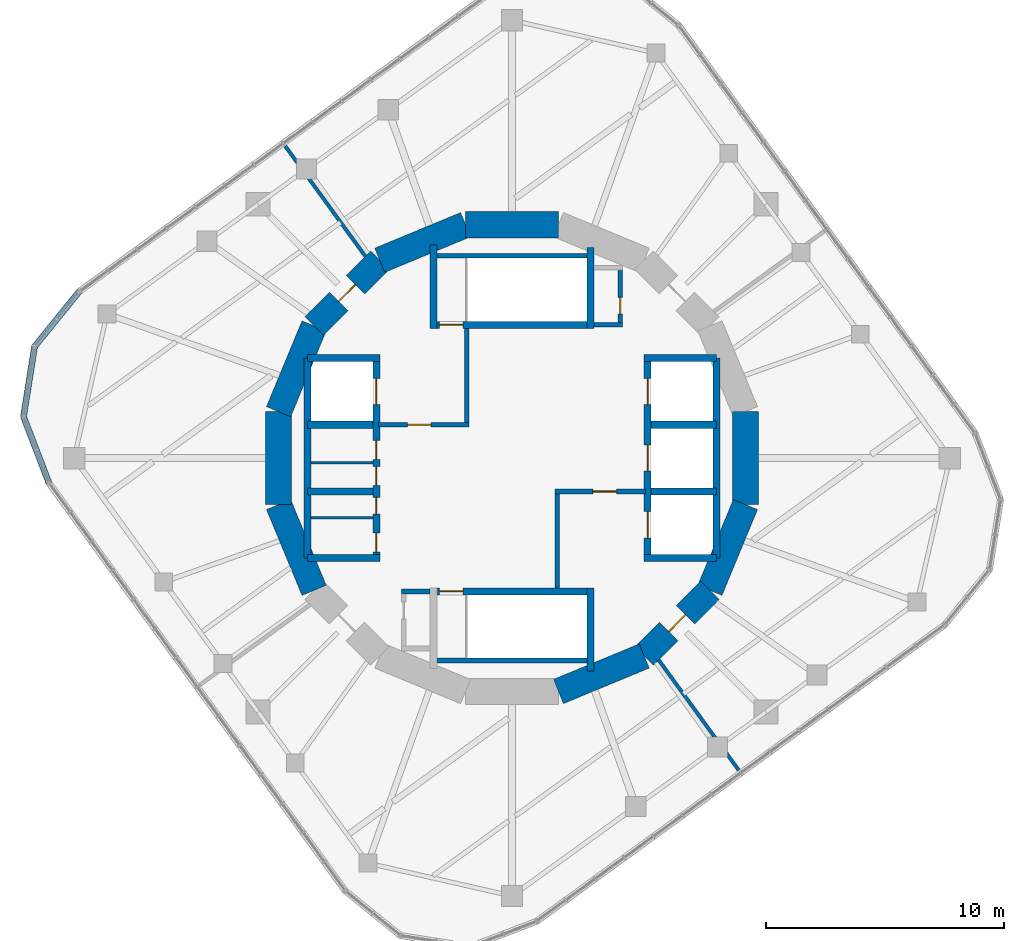
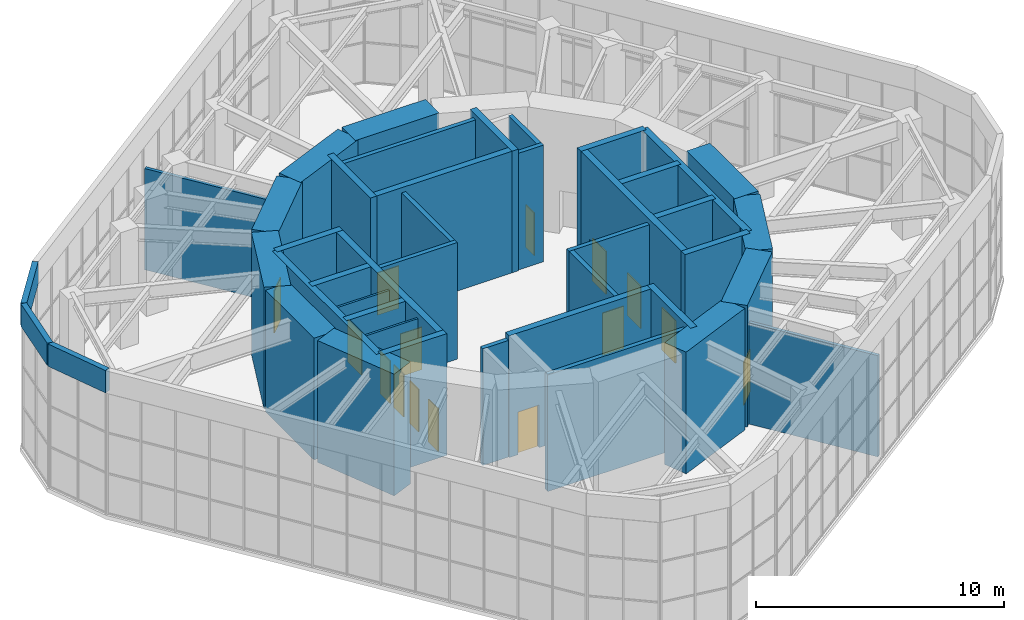
# One storey, part 15 of 17: 43 walls, 15 doors, 15 openings.
"""IFC4 building model written with IfcOpenShell, lengths in metres."""

from ifc_helpers import new_model, si_unit, direction, frame, frame_2d, origin, place, context, subcontext, project, spatial, rectangle, extrude, material, layer, layer_set, type_object, element, fill, save


model = new_model("IFC4")

# Units and contexts
model_context = context("Model", 3, precision=1e-05, world=origin(), true_north=direction((0.0, 1.0)))
body_context = subcontext(model_context, "Body", "Model", "MODEL_VIEW")
ifc_project = project(units=[si_unit("LENGTHUNIT", "METRE"), si_unit("AREAUNIT", "SQUARE_METRE"), si_unit("VOLUMEUNIT", "CUBIC_METRE"), si_unit("PLANEANGLEUNIT", "RADIAN"), si_unit("MASSUNIT", "GRAM", prefix="KILO")], contexts=[model_context])

# Site, building, storey
site_placement = place(None, origin())
site = spatial("IfcSite", under=ifc_project, at=site_placement, CompositionType="ELEMENT")
building_placement = place(site_placement, origin())
building = spatial("IfcBuilding", under=site, at=building_placement, Name="Nakasero Lantern House", CompositionType="ELEMENT")
storey_placement = place(building_placement, frame((0.0, 0.0, 304.39990234375)))
storey = spatial("IfcBuildingStorey", under=building, at=storey_placement, Name="L74", CompositionType="ELEMENT", Elevation=304.39990234375)

# Wall, openings, doors
ifc_material_1 = material(Name="Concrete C50/60", Category="concrete")
ifc_layer_1 = layer(ifc_material_1, 0.300048828125)
ifc_layer_set_1 = layer_set([ifc_layer_1], Name="Core inner wall 300")
wall_type_1 = type_object("IfcWallType", Name="Core inner wall 300", PredefinedType="SHEAR", material=ifc_layer_set_1)
wall_1_placement = place(storey_placement, frame((-5.699951171875, -4.199951171875, 0.0), z_axis=(0.0, 0.0, 1.0), x_axis=(0.0, 1.0, 0.0)))
wall_1 = element("IfcWall", 1, at=wall_1_placement, inside=storey, type_object=wall_type_1, Name="Core inner wall L74 LW", PredefinedType="SHEAR", context=body_context, shape_type="SweptSolid", body=[
    extrude(rectangle(XDim=8.39990234375, YDim=0.300048828125, at=frame_2d((4.199951171875, 0.0))), origin(), (0.0, 0.0, 1.0), 6.0),
])
opening_1_placement = place(wall_1_placement, frame((0.25, 0.0, 0.0)))
opening_1 = element("IfcOpeningElement", 2, at=opening_1_placement, cuts=wall_1, Name="Opening D19", PredefinedType="OPENING", context=body_context, shape_type="SweptSolid", body=[
    extrude(rectangle(XDim=0.800048828125, YDim=2.10009765625, at=frame_2d((0.39990234375, 1.050048828125))), frame((0.0, 0.169921875, 0.0), z_axis=(0.0, -1.0, 0.0), x_axis=(1.0, 0.0, 0.0)), (0.0, 0.0, 1.0), 0.340087890625),
])
opening_2_placement = place(wall_1_placement, frame((1.85009765625, 0.0, 0.0)))
opening_2 = element("IfcOpeningElement", 3, at=opening_2_placement, cuts=wall_1, Name="Opening D20", PredefinedType="OPENING", context=body_context, shape_type="SweptSolid", body=[
    extrude(rectangle(XDim=0.699951171875, YDim=2.10009765625, at=frame_2d((0.35009765625, 1.050048828125))), frame((0.0, 0.169921875, 0.0), z_axis=(0.0, -1.0, 0.0), x_axis=(1.0, 0.0, 0.0)), (0.0, 0.0, 1.0), 0.340087890625),
])
opening_3_placement = place(wall_1_placement, frame((3.050048828125, 0.0, 0.0)))
opening_3 = element("IfcOpeningElement", 4, at=opening_3_placement, cuts=wall_1, Name="Opening D19", PredefinedType="OPENING", context=body_context, shape_type="SweptSolid", body=[
    extrude(rectangle(XDim=0.800048828125, YDim=2.10009765625, at=frame_2d((0.39990234375, 1.050048828125))), frame((0.0, 0.169921875, 0.0), z_axis=(0.0, -1.0, 0.0), x_axis=(1.0, 0.0, 0.0)), (0.0, 0.0, 1.0), 0.340087890625),
])
opening_4_placement = place(wall_1_placement, frame((4.14990234375, 0.0, 0.0)))
opening_4 = element("IfcOpeningElement", 5, at=opening_4_placement, cuts=wall_1, Name="Opening D15", PredefinedType="OPENING", context=body_context, shape_type="SweptSolid", body=[
    extrude(rectangle(XDim=0.800048828125, YDim=2.10009765625, at=frame_2d((0.39990234375, 1.050048828125))), frame((0.0, 0.169921875, 0.0), z_axis=(0.0, -1.0, 0.0), x_axis=(1.0, 0.0, 0.0)), (0.0, 0.0, 1.0), 0.340087890625),
])
opening_5_placement = place(wall_1_placement, frame((6.449951171875, 0.0, 0.0)))
opening_5 = element("IfcOpeningElement", 6, at=opening_5_placement, cuts=wall_1, Name="Opening LD", PredefinedType="OPENING", context=body_context, shape_type="SweptSolid", body=[
    extrude(rectangle(XDim=1.10009765625, YDim=2.10009765625, at=frame_2d((0.550048828125, 1.050048828125))), frame((0.0, 0.169921875, 0.0), z_axis=(0.0, -1.0, 0.0), x_axis=(1.0, 0.0, 0.0)), (0.0, 0.0, 1.0), 0.340087890625),
])
ifc_material_2 = material(Name="Timber C24", Category="wood")
door_type_1 = type_object("IfcDoorType", Name="Cleaner's store door FD30S 700", OperationType="SINGLE_SWING_LEFT", PredefinedType="DOOR", material=ifc_material_2)
door_1_placement = place(opening_2_placement, origin())
door_1 = element("IfcDoor", 7, at=door_1_placement, inside=storey, type_object=door_type_1, Name="Door L74 D-SH-LW1b", OperationType="SINGLE_SWING_LEFT", OverallHeight=2.10009765625, OverallWidth=0.699951171875, PredefinedType="DOOR", context=body_context, shape_type="SweptSolid", body=[
    extrude(rectangle(XDim=0.699951171875, YDim=2.10009765625, at=frame_2d((0.35009765625, 1.050048828125))), frame((0.0, 0.02490234375, 0.0), z_axis=(0.0, -1.0, 0.0), x_axis=(1.0, 0.0, 0.0)), (0.0, 0.0, 1.0), 0.050048828125),
])
fill(opening_2, door_1)
ifc_material_3 = material(Name="Timber C24", Category="wood")
door_type_2 = type_object("IfcDoorType", Name="Cleaner's store door FD30S 800", OperationType="SINGLE_SWING_LEFT", PredefinedType="DOOR", material=ifc_material_3)
door_2_placement = place(opening_4_placement, origin())
door_2 = element("IfcDoor", 8, at=door_2_placement, inside=storey, type_object=door_type_2, Name="Door L74 D-SH-LW2b", OperationType="SINGLE_SWING_RIGHT", OverallHeight=2.10009765625, OverallWidth=0.800048828125, PredefinedType="DOOR", context=body_context, shape_type="SweptSolid", body=[
    extrude(rectangle(XDim=0.800048828125, YDim=2.10009765625, at=frame_2d((0.39990234375, 1.050048828125))), frame((0.0, 0.02490234375, 0.0), z_axis=(0.0, -1.0, 0.0), x_axis=(1.0, 0.0, 0.0)), (0.0, 0.0, 1.0), 0.050048828125),
])
fill(opening_4, door_2)
ifc_material_4 = material(Name="Steel S355", Category="steel")
door_type_3 = type_object("IfcDoorType", Name="Lift landing door E120 1100", OperationType="SLIDING_TO_LEFT", PredefinedType="DOOR", material=ifc_material_4)
door_3_placement = place(opening_5_placement, origin())
door_3 = element("IfcDoor", 9, at=door_3_placement, inside=storey, type_object=door_type_3, Name="Lift landing door LW3", OperationType="SLIDING_TO_LEFT", OverallHeight=2.10009765625, OverallWidth=1.10009765625, PredefinedType="DOOR", context=body_context, shape_type="SweptSolid", body=[
    extrude(rectangle(XDim=1.10009765625, YDim=2.10009765625, at=frame_2d((0.550048828125, 1.050048828125))), frame((0.0, 0.02490234375, 0.0), z_axis=(0.0, -1.0, 0.0), x_axis=(1.0, 0.0, 0.0)), (0.0, 0.0, 1.0), 0.050048828125),
])
fill(opening_5, door_3)
ifc_material_5 = material(Name="Steel S355", Category="steel")
door_type_4 = type_object("IfcDoorType", Name="Plant room door FD60 800", OperationType="SINGLE_SWING_LEFT", PredefinedType="DOOR", material=ifc_material_5)
door_4_placement = place(opening_1_placement, origin())
door_4 = element("IfcDoor", 10, at=door_4_placement, inside=storey, type_object=door_type_4, Name="Door L74 D-SH-LW1a", OperationType="SINGLE_SWING_LEFT", OverallHeight=2.10009765625, OverallWidth=0.800048828125, PredefinedType="DOOR", context=body_context, shape_type="SweptSolid", body=[
    extrude(rectangle(XDim=0.800048828125, YDim=2.10009765625, at=frame_2d((0.39990234375, 1.050048828125))), frame((0.0, 0.02490234375, 0.0), z_axis=(0.0, -1.0, 0.0), x_axis=(1.0, 0.0, 0.0)), (0.0, 0.0, 1.0), 0.050048828125),
])
fill(opening_1, door_4)
door_5_placement = place(opening_3_placement, origin())
door_5 = element("IfcDoor", 11, at=door_5_placement, inside=storey, type_object=door_type_4, Name="Door L74 D-SH-LW2a", OperationType="SINGLE_SWING_LEFT", OverallHeight=2.10009765625, OverallWidth=0.800048828125, PredefinedType="DOOR", context=body_context, shape_type="SweptSolid", body=[
    extrude(rectangle(XDim=0.800048828125, YDim=2.10009765625, at=frame_2d((0.39990234375, 1.050048828125))), frame((0.0, 0.02490234375, 0.0), z_axis=(0.0, -1.0, 0.0), x_axis=(1.0, 0.0, 0.0)), (0.0, 0.0, 1.0), 0.050048828125),
])
fill(opening_3, door_5)

wall_2_placement = place(storey_placement, frame((5.699951171875, -4.199951171875, 0.0), z_axis=(0.0, 0.0, 1.0), x_axis=(0.0, 1.0, 0.0)))
wall_2 = element("IfcWall", 12, at=wall_2_placement, inside=storey, type_object=wall_type_1, Name="Core inner wall L74 LE", PredefinedType="SHEAR", context=body_context, shape_type="SweptSolid", body=[
    extrude(rectangle(XDim=8.39990234375, YDim=0.300048828125, at=frame_2d((4.199951171875, 0.0))), origin(), (0.0, 0.0, 1.0), 6.0),
])
opening_6_placement = place(wall_2_placement, frame((0.85009765625, 0.0, 0.0)))
opening_6 = element("IfcOpeningElement", 13, at=opening_6_placement, cuts=wall_2, Name="Opening LD", PredefinedType="OPENING", context=body_context, shape_type="SweptSolid", body=[
    extrude(rectangle(XDim=1.10009765625, YDim=2.10009765625, at=frame_2d((0.550048828125, 1.050048828125))), frame((0.0, 0.169921875, 0.0), z_axis=(0.0, -1.0, 0.0), x_axis=(1.0, 0.0, 0.0)), (0.0, 0.0, 1.0), 0.340087890625),
])
opening_7_placement = place(wall_2_placement, frame((3.64990234375, 0.0, 0.0)))
opening_7 = element("IfcOpeningElement", 14, at=opening_7_placement, cuts=wall_2, Name="Opening LD", PredefinedType="OPENING", context=body_context, shape_type="SweptSolid", body=[
    extrude(rectangle(XDim=1.10009765625, YDim=2.10009765625, at=frame_2d((0.550048828125, 1.050048828125))), frame((0.0, 0.169921875, 0.0), z_axis=(0.0, -1.0, 0.0), x_axis=(1.0, 0.0, 0.0)), (0.0, 0.0, 1.0), 0.340087890625),
])
opening_8_placement = place(wall_2_placement, frame((6.449951171875, 0.0, 0.0)))
opening_8 = element("IfcOpeningElement", 15, at=opening_8_placement, cuts=wall_2, Name="Opening LD", PredefinedType="OPENING", context=body_context, shape_type="SweptSolid", body=[
    extrude(rectangle(XDim=1.10009765625, YDim=2.10009765625, at=frame_2d((0.550048828125, 1.050048828125))), frame((0.0, 0.169921875, 0.0), z_axis=(0.0, -1.0, 0.0), x_axis=(1.0, 0.0, 0.0)), (0.0, 0.0, 1.0), 0.340087890625),
])
door_6_placement = place(opening_6_placement, origin())
door_6 = element("IfcDoor", 16, at=door_6_placement, inside=storey, type_object=door_type_3, Name="Lift landing door LE1", OperationType="SLIDING_TO_LEFT", OverallHeight=2.10009765625, OverallWidth=1.10009765625, PredefinedType="DOOR", context=body_context, shape_type="SweptSolid", body=[
    extrude(rectangle(XDim=1.10009765625, YDim=2.10009765625, at=frame_2d((0.550048828125, 1.050048828125))), frame((0.0, 0.02490234375, 0.0), z_axis=(0.0, -1.0, 0.0), x_axis=(1.0, 0.0, 0.0)), (0.0, 0.0, 1.0), 0.050048828125),
])
fill(opening_6, door_6)
door_7_placement = place(opening_7_placement, origin())
door_7 = element("IfcDoor", 17, at=door_7_placement, inside=storey, type_object=door_type_3, Name="Lift landing door LE2", OperationType="SLIDING_TO_LEFT", OverallHeight=2.10009765625, OverallWidth=1.10009765625, PredefinedType="DOOR", context=body_context, shape_type="SweptSolid", body=[
    extrude(rectangle(XDim=1.10009765625, YDim=2.10009765625, at=frame_2d((0.550048828125, 1.050048828125))), frame((0.0, 0.02490234375, 0.0), z_axis=(0.0, -1.0, 0.0), x_axis=(1.0, 0.0, 0.0)), (0.0, 0.0, 1.0), 0.050048828125),
])
fill(opening_7, door_7)
door_8_placement = place(opening_8_placement, origin())
door_8 = element("IfcDoor", 18, at=door_8_placement, inside=storey, type_object=door_type_3, Name="Lift landing door LE3", OperationType="SLIDING_TO_LEFT", OverallHeight=2.10009765625, OverallWidth=1.10009765625, PredefinedType="DOOR", context=body_context, shape_type="SweptSolid", body=[
    extrude(rectangle(XDim=1.10009765625, YDim=2.10009765625, at=frame_2d((0.550048828125, 1.050048828125))), frame((0.0, 0.02490234375, 0.0), z_axis=(0.0, -1.0, 0.0), x_axis=(1.0, 0.0, 0.0)), (0.0, 0.0, 1.0), 0.050048828125),
])
fill(opening_8, door_8)

# Walls
for number, where, z_axis, x_axis, name in (
    (19, (-8.60009765625, 4.199951171875, 0.0), (0.0, 0.0, 1.0), (1.0, 0.0, 0.0), "Core inner wall L74 LWN"),
    (20, (-8.60009765625, -4.199951171875, 0.0), (0.0, 0.0, 1.0), (1.0, 0.0, 0.0), "Core inner wall L74 LWS"),
    (21, (5.550048828125, 4.199951171875, 0.0), (0.0, 0.0, 1.0), (1.0, 0.0, 0.0), "Core inner wall L74 LEN"),
    (22, (5.550048828125, -4.199951171875, 0.0), (0.0, 0.0, 1.0), (1.0, 0.0, 0.0), "Core inner wall L74 LES"),
):
    element("IfcWall", number, at=place(storey_placement, frame(where, z_axis=z_axis, x_axis=x_axis)), inside=storey, type_object=wall_type_1, Name=name, PredefinedType="SHEAR", context=body_context, shape_type="SweptSolid", body=[
        extrude(rectangle(XDim=3.050048828125, YDim=0.300048828125, at=frame_2d((1.52490234375, 0.0))), origin(), (0.0, 0.0, 1.0), 6.0),
    ])
for number, where, z_axis, x_axis, name in (
    (23, (-8.60009765625, -4.199951171875, 0.0), (0.0, 0.0, 1.0), (0.0, 1.0, 0.0), "Core inner wall L74 LWB"),
    (24, (8.60009765625, -4.199951171875, 0.0), (0.0, 0.0, 1.0), (0.0, 1.0, 0.0), "Core inner wall L74 LEB"),
):
    element("IfcWall", number, at=place(storey_placement, frame(where, z_axis=z_axis, x_axis=x_axis)), inside=storey, type_object=wall_type_1, Name=name, PredefinedType="SHEAR", context=body_context, shape_type="SweptSolid", body=[
        extrude(rectangle(XDim=8.39990234375, YDim=0.300048828125, at=frame_2d((4.199951171875, 0.0))), origin(), (0.0, 0.0, 1.0), 6.0),
    ])
for number, where, z_axis, x_axis, name in (
    (25, (-8.60009765625, -1.39990234375, 0.0), (0.0, 0.0, 1.0), (1.0, 0.0, 0.0), "Core inner wall L74 LW1"),
    (26, (-8.60009765625, 1.39990234375, 0.0), (0.0, 0.0, 1.0), (1.0, 0.0, 0.0), "Core inner wall L74 LW2"),
    (27, (5.85009765625, -1.39990234375, 0.0), (0.0, 0.0, 1.0), (1.0, 0.0, 0.0), "Core inner wall L74 LE1"),
    (28, (5.85009765625, 1.39990234375, 0.0), (0.0, 0.0, 1.0), (1.0, 0.0, 0.0), "Core inner wall L74 LE2"),
):
    element("IfcWall", number, at=place(storey_placement, frame(where, z_axis=z_axis, x_axis=x_axis)), inside=storey, type_object=wall_type_1, Name=name, PredefinedType="SHEAR", context=body_context, shape_type="SweptSolid", body=[
        extrude(rectangle(XDim=2.75, YDim=0.300048828125, at=frame_2d((1.375, 0.0))), origin(), (0.0, 0.0, 1.0), 6.0),
    ])

# Wall, opening, door
wall_3_placement = place(storey_placement, frame((-3.449951171875, 5.60009765625, 0.0), z_axis=(0.0, 0.0, 1.0), x_axis=(1.0, 0.0, 0.0)))
wall_3 = element("IfcWall", 29, at=wall_3_placement, inside=storey, type_object=wall_type_1, Name="Core inner wall L74 SN", PredefinedType="SHEAR", context=body_context, shape_type="SweptSolid", body=[
    extrude(rectangle(XDim=6.89990234375, YDim=0.300048828125, at=frame_2d((3.449951171875, 0.0))), origin(), (0.0, 0.0, 1.0), 6.0),
])
opening_9_placement = place(wall_3_placement, frame((0.39990234375, 0.0, 0.0)))
opening_9 = element("IfcOpeningElement", 30, at=opening_9_placement, cuts=wall_3, Name="Opening D05", PredefinedType="OPENING", context=body_context, shape_type="SweptSolid", body=[
    extrude(rectangle(XDim=1.0, YDim=2.10009765625, at=frame_2d((0.5, 1.050048828125))), frame((0.0, 0.169921875, 0.0), z_axis=(0.0, -1.0, 0.0), x_axis=(1.0, 0.0, 0.0)), (0.0, 0.0, 1.0), 0.340087890625),
])
ifc_material_6 = material(Name="Timber C24", Category="wood")
door_type_5 = type_object("IfcDoorType", Name="Core door FD60S 1000", OperationType="SINGLE_SWING_LEFT", PredefinedType="DOOR", material=ifc_material_6)
door_9_placement = place(opening_9_placement, origin())
door_9 = element("IfcDoor", 31, at=door_9_placement, inside=storey, type_object=door_type_5, Name="Door L74 D-ST1", OperationType="SINGLE_SWING_LEFT", OverallHeight=2.10009765625, OverallWidth=1.0, PredefinedType="DOOR", context=body_context, shape_type="SweptSolid", body=[
    extrude(rectangle(XDim=1.0, YDim=2.10009765625, at=frame_2d((0.5, 1.050048828125))), frame((0.0, 0.02490234375, 0.0), z_axis=(0.0, -1.0, 0.0), x_axis=(1.0, 0.0, 0.0)), (0.0, 0.0, 1.0), 0.050048828125),
])
fill(opening_9, door_9)

# Walls
wall_4_placement = place(storey_placement, frame((-3.300048828125, 5.449951171875, 0.0), z_axis=(0.0, 0.0, 1.0), x_axis=(0.0, 1.0, 0.0)))
element("IfcWall", 32, at=wall_4_placement, inside=storey, type_object=wall_type_1, Name="Core inner wall L74 SNW", PredefinedType="SHEAR", context=body_context, shape_type="SweptSolid", body=[
    extrude(rectangle(XDim=3.5, YDim=0.300048828125, at=frame_2d((1.75, 0.0))), origin(), (0.0, 0.0, 1.0), 6.0),
])
wall_5_placement = place(storey_placement, frame((3.300048828125, 5.449951171875, 0.0), z_axis=(0.0, 0.0, 1.0), x_axis=(0.0, 1.0, 0.0)))
element("IfcWall", 33, at=wall_5_placement, inside=storey, type_object=wall_type_1, Name="Core inner wall L74 SNE", PredefinedType="SHEAR", context=body_context, shape_type="SweptSolid", body=[
    extrude(rectangle(XDim=3.400146484375, YDim=0.300048828125, at=frame_2d((1.7001953125, 0.0))), origin(), (0.0, 0.0, 1.0), 6.0),
])

# Wall, opening, door
wall_6_placement = place(storey_placement, frame((-3.449951171875, -5.60009765625, 0.0), z_axis=(0.0, 0.0, 1.0), x_axis=(1.0, 0.0, 0.0)))
wall_6 = element("IfcWall", 34, at=wall_6_placement, inside=storey, type_object=wall_type_1, Name="Core inner wall L74 SS", PredefinedType="SHEAR", context=body_context, shape_type="SweptSolid", body=[
    extrude(rectangle(XDim=6.89990234375, YDim=0.300048828125, at=frame_2d((3.449951171875, 0.0))), origin(), (0.0, 0.0, 1.0), 6.0),
])
opening_10_placement = place(wall_6_placement, frame((0.39990234375, 0.0, 0.0)))
opening_10 = element("IfcOpeningElement", 35, at=opening_10_placement, cuts=wall_6, Name="Opening D05", PredefinedType="OPENING", context=body_context, shape_type="SweptSolid", body=[
    extrude(rectangle(XDim=1.0, YDim=2.10009765625, at=frame_2d((0.5, 1.050048828125))), frame((0.0, 0.169921875, 0.0), z_axis=(0.0, -1.0, 0.0), x_axis=(1.0, 0.0, 0.0)), (0.0, 0.0, 1.0), 0.340087890625),
])
door_10_placement = place(opening_10_placement, origin())
door_10 = element("IfcDoor", 36, at=door_10_placement, inside=storey, type_object=door_type_5, Name="Door L74 D-ST2", OperationType="SINGLE_SWING_LEFT", OverallHeight=2.10009765625, OverallWidth=1.0, PredefinedType="DOOR", context=body_context, shape_type="SweptSolid", body=[
    extrude(rectangle(XDim=1.0, YDim=2.10009765625, at=frame_2d((0.5, 1.050048828125))), frame((0.0, 0.02490234375, 0.0), z_axis=(0.0, -1.0, 0.0), x_axis=(1.0, 0.0, 0.0)), (0.0, 0.0, 1.0), 0.050048828125),
])
fill(opening_10, door_10)

# Walls
wall_7_placement = place(storey_placement, frame((3.300048828125, -5.449951171875, 0.0), z_axis=(0.0, 0.0, 1.0), x_axis=(0.0, -1.0, 0.0)))
element("IfcWall", 37, at=wall_7_placement, inside=storey, type_object=wall_type_1, Name="Core inner wall L74 SSE", PredefinedType="SHEAR", context=body_context, shape_type="SweptSolid", body=[
    extrude(rectangle(XDim=3.5, YDim=0.300048828125, at=frame_2d((1.75, 0.0))), origin(), (0.0, 0.0, 1.0), 6.0),
])
ifc_material_7 = material(Name="Blockwork", Category="masonry")
ifc_layer_2 = layer(ifc_material_7, 0.10009765625)
ifc_layer_set_2 = layer_set([ifc_layer_2], Name="Core room wall 100")
wall_type_2 = type_object("IfcWallType", Name="Core room wall 100", PredefinedType="PARTITIONING", material=ifc_layer_set_2)
for number, where, z_axis, x_axis, name in (
    (38, (-8.449951171875, -2.5, 0.0), (0.0, 0.0, 1.0), (1.0, 0.0, 0.0), "Core room wall L74 CR-SH-LW1b"),
    (39, (-8.449951171875, -0.199951171875, 0.0), (0.0, 0.0, 1.0), (1.0, 0.0, 0.0), "Core room wall L74 CR-SH-LW2b"),
):
    element("IfcWall", number, at=place(storey_placement, frame(where, z_axis=z_axis, x_axis=x_axis)), inside=storey, type_object=wall_type_2, Name=name, PredefinedType="PARTITIONING", context=body_context, shape_type="SweptSolid", body=[
        extrude(rectangle(XDim=2.599853515625, YDim=0.10009765625, at=frame_2d((1.2998046875, 0.0))), origin(), (0.0, 0.0, 1.0), 5.75),
    ])
ifc_material_8 = material(Name="Concrete C50/60", Category="concrete")
ifc_layer_3 = layer(ifc_material_8, 1.10009765625)
ifc_layer_set_3 = layer_set([ifc_layer_3], Name="Core wall 1100")
wall_type_3 = type_object("IfcWallType", Name="Core wall 1100", PredefinedType="SHEAR", material=ifc_layer_set_3)
for number, where, z_axis, x_axis, name in (
    (40, (1.950927734375, 9.807861328125, 0.0), (0.0, 0.0, 1.0), (-1.0, 0.0, 0.0), "Core wall L74 facet 4"),
    (41, (-1.950927734375, 9.807861328125, 0.0), (0.0, 0.0, 1.0), (-0.923876507187, -0.382690736062, 0.0), "Core wall L74 facet 5"),
):
    element("IfcWall", number, at=place(storey_placement, frame(where, z_axis=z_axis, x_axis=x_axis)), inside=storey, type_object=wall_type_3, Name=name, PredefinedType="SHEAR", context=body_context, shape_type="SweptSolid", body=[
        extrude(rectangle(XDim=3.90185546875, YDim=1.10009765625, at=frame_2d((1.950927734375, 0.0))), origin(), (0.0, 0.0, 1.0), 6.0),
    ])

# Wall, opening, door
wall_8_placement = place(storey_placement, frame((-5.5556640625, 8.314697265625, 0.0), z_axis=(0.0, 0.0, 1.0), x_axis=(-0.707106781187, -0.707106781187, 0.0)))
wall_8 = element("IfcWall", 42, at=wall_8_placement, inside=storey, type_object=wall_type_3, Name="Core wall L74 facet 6", PredefinedType="SHEAR", context=body_context, shape_type="SweptSolid", body=[
    extrude(rectangle(XDim=3.90185546875, YDim=1.10009765625, at=frame_2d((1.950927734375, 0.0))), origin(), (0.0, 0.0, 1.0), 6.0),
])
opening_11_placement = place(wall_8_placement, frame((1.450927734375, 0.0, 0.0)))
opening_11 = element("IfcOpeningElement", 43, at=opening_11_placement, cuts=wall_8, Name="Opening D05", PredefinedType="OPENING", context=body_context, shape_type="SweptSolid", body=[
    extrude(rectangle(XDim=1.0, YDim=2.10009765625, at=frame_2d((0.5, 1.050048828125))), frame((0.0, 0.570068359375, 0.0), z_axis=(0.0, -1.0, 0.0), x_axis=(1.0, 0.0, 0.0)), (0.0, 0.0, 1.0), 1.14013671875),
])
door_11_placement = place(opening_11_placement, origin())
door_11 = element("IfcDoor", 44, at=door_11_placement, inside=storey, type_object=door_type_5, Name="Door L74 D-CORE06", OperationType="SINGLE_SWING_LEFT", OverallHeight=2.10009765625, OverallWidth=1.0, PredefinedType="DOOR", context=body_context, shape_type="SweptSolid", body=[
    extrude(rectangle(XDim=1.0, YDim=2.10009765625, at=frame_2d((0.5, 1.050048828125))), frame((0.0, 0.02490234375, 0.0), z_axis=(0.0, -1.0, 0.0), x_axis=(1.0, 0.0, 0.0)), (0.0, 0.0, 1.0), 0.050048828125),
])
fill(opening_11, door_11)

# Walls
for number, where, z_axis, x_axis, name in (
    (45, (-8.314697265625, 5.5556640625, 0.0), (0.0, 0.0, 1.0), (-0.382690736062, -0.923876507187, 0.0), "Core wall L74 facet 7"),
    (46, (-9.807861328125, 1.950927734375, 0.0), (0.0, 0.0, 1.0), (0.0, -1.0, 0.0), "Core wall L74 facet 8"),
    (47, (-9.807861328125, -1.950927734375, 0.0), (0.0, 0.0, 1.0), (0.382690736062, -0.923876507187, 0.0), "Core wall L74 facet 9"),
    (48, (1.950927734375, -9.807861328125, 0.0), (0.0, 0.0, 1.0), (0.923876507187, 0.382690736062, 0.0), "Core wall L74 facet 13"),
):
    element("IfcWall", number, at=place(storey_placement, frame(where, z_axis=z_axis, x_axis=x_axis)), inside=storey, type_object=wall_type_3, Name=name, PredefinedType="SHEAR", context=body_context, shape_type="SweptSolid", body=[
        extrude(rectangle(XDim=3.90185546875, YDim=1.10009765625, at=frame_2d((1.950927734375, 0.0))), origin(), (0.0, 0.0, 1.0), 6.0),
    ])

# Wall, opening, door
wall_9_placement = place(storey_placement, frame((5.5556640625, -8.314697265625, 0.0), z_axis=(0.0, 0.0, 1.0), x_axis=(0.707106781187, 0.707106781187, 0.0)))
wall_9 = element("IfcWall", 49, at=wall_9_placement, inside=storey, type_object=wall_type_3, Name="Core wall L74 facet 14", PredefinedType="SHEAR", context=body_context, shape_type="SweptSolid", body=[
    extrude(rectangle(XDim=3.90185546875, YDim=1.10009765625, at=frame_2d((1.950927734375, 0.0))), origin(), (0.0, 0.0, 1.0), 6.0),
])
opening_12_placement = place(wall_9_placement, frame((1.450927734375, 0.0, 0.0)))
opening_12 = element("IfcOpeningElement", 50, at=opening_12_placement, cuts=wall_9, Name="Opening D05", PredefinedType="OPENING", context=body_context, shape_type="SweptSolid", body=[
    extrude(rectangle(XDim=1.0, YDim=2.10009765625, at=frame_2d((0.5, 1.050048828125))), frame((0.0, 0.570068359375, 0.0), z_axis=(0.0, -1.0, 0.0), x_axis=(1.0, 0.0, 0.0)), (0.0, 0.0, 1.0), 1.14013671875),
])
door_12_placement = place(opening_12_placement, origin())
door_12 = element("IfcDoor", 51, at=door_12_placement, inside=storey, type_object=door_type_5, Name="Door L74 D-CORE14", OperationType="SINGLE_SWING_LEFT", OverallHeight=2.10009765625, OverallWidth=1.0, PredefinedType="DOOR", context=body_context, shape_type="SweptSolid", body=[
    extrude(rectangle(XDim=1.0, YDim=2.10009765625, at=frame_2d((0.5, 1.050048828125))), frame((0.0, 0.02490234375, 0.0), z_axis=(0.0, -1.0, 0.0), x_axis=(1.0, 0.0, 0.0)), (0.0, 0.0, 1.0), 0.050048828125),
])
fill(opening_12, door_12)

# Walls
for number, where, z_axis, x_axis, name in (
    (52, (8.314697265625, -5.5556640625, 0.0), (0.0, 0.0, 1.0), (0.382690736062, 0.923876507187, 0.0), "Core wall L74 facet 15"),
    (53, (9.807861328125, -1.950927734375, 0.0), (0.0, 0.0, 1.0), (0.0, 1.0, 0.0), "Core wall L74 facet 16"),
):
    element("IfcWall", number, at=place(storey_placement, frame(where, z_axis=z_axis, x_axis=x_axis)), inside=storey, type_object=wall_type_3, Name=name, PredefinedType="SHEAR", context=body_context, shape_type="SweptSolid", body=[
        extrude(rectangle(XDim=3.90185546875, YDim=1.10009765625, at=frame_2d((1.950927734375, 0.0))), origin(), (0.0, 0.0, 1.0), 6.0),
    ])

# Wall, opening, door
ifc_material_9 = material(Name="Blockwork", Category="masonry")
ifc_layer_4 = layer(ifc_material_9, 0.199951171875)
ifc_layer_set_4 = layer_set([ifc_layer_4], Name="Fire lobby wall 200")
wall_type_4 = type_object("IfcWallType", Name="Fire lobby wall 200", PredefinedType="PARTITIONING", material=ifc_layer_set_4)
wall_10_placement = place(storey_placement, frame((-5.60009765625, 1.39990234375, 0.0), z_axis=(0.0, 0.0, 1.0), x_axis=(1.0, 0.0, 0.0)))
wall_10 = element("IfcWall", 54, at=wall_10_placement, inside=storey, type_object=wall_type_4, Name="Fire lobby wall L74 W-FL1S", PredefinedType="PARTITIONING", context=body_context, shape_type="SweptSolid", body=[
    extrude(rectangle(XDim=3.800048828125, YDim=0.199951171875, at=frame_2d((1.89990234375, 0.0))), origin(), (0.0, 0.0, 1.0), 5.75),
])
opening_13_placement = place(wall_10_placement, frame((1.199951171875, 0.0, 0.0)))
opening_13 = element("IfcOpeningElement", 55, at=opening_13_placement, cuts=wall_10, Name="Opening D05", PredefinedType="OPENING", context=body_context, shape_type="SweptSolid", body=[
    extrude(rectangle(XDim=1.0, YDim=2.10009765625, at=frame_2d((0.5, 1.050048828125))), frame((0.0, 0.119873046875, 0.0), z_axis=(0.0, -1.0, 0.0), x_axis=(1.0, 0.0, 0.0)), (0.0, 0.0, 1.0), 0.239990234375),
])
door_13_placement = place(opening_13_placement, origin())
door_13 = element("IfcDoor", 56, at=door_13_placement, inside=storey, type_object=door_type_5, Name="Door L74 D-FL1", OperationType="SINGLE_SWING_LEFT", OverallHeight=2.10009765625, OverallWidth=1.0, PredefinedType="DOOR", context=body_context, shape_type="SweptSolid", body=[
    extrude(rectangle(XDim=1.0, YDim=2.10009765625, at=frame_2d((0.5, 1.050048828125))), frame((0.0, 0.02490234375, 0.0), z_axis=(0.0, -1.0, 0.0), x_axis=(1.0, 0.0, 0.0)), (0.0, 0.0, 1.0), 0.050048828125),
])
fill(opening_13, door_13)

# Wall
wall_11_placement = place(storey_placement, frame((-1.89990234375, 1.5, 0.0), z_axis=(0.0, 0.0, 1.0), x_axis=(0.0, 1.0, 0.0)))
element("IfcWall", 57, at=wall_11_placement, inside=storey, type_object=wall_type_4, Name="Fire lobby wall L74 W-FL1E", PredefinedType="PARTITIONING", context=body_context, shape_type="SweptSolid", body=[
    extrude(rectangle(XDim=3.949951171875, YDim=0.199951171875, at=frame_2d((1.97509765625, 0.0))), origin(), (0.0, 0.0, 1.0), 5.75),
])

# Wall, opening, door
wall_12_placement = place(storey_placement, frame((5.60009765625, -1.39990234375, 0.0), z_axis=(0.0, 0.0, 1.0), x_axis=(-1.0, 0.0, 0.0)))
wall_12 = element("IfcWall", 58, at=wall_12_placement, inside=storey, type_object=wall_type_4, Name="Fire lobby wall L74 W-FL2N", PredefinedType="PARTITIONING", context=body_context, shape_type="SweptSolid", body=[
    extrude(rectangle(XDim=3.800048828125, YDim=0.199951171875, at=frame_2d((1.89990234375, 0.0))), origin(), (0.0, 0.0, 1.0), 5.75),
])
opening_14_placement = place(wall_12_placement, frame((1.199951171875, 0.0, 0.0)))
opening_14 = element("IfcOpeningElement", 59, at=opening_14_placement, cuts=wall_12, Name="Opening D05", PredefinedType="OPENING", context=body_context, shape_type="SweptSolid", body=[
    extrude(rectangle(XDim=1.0, YDim=2.10009765625, at=frame_2d((0.5, 1.050048828125))), frame((0.0, 0.119873046875, 0.0), z_axis=(0.0, -1.0, 0.0), x_axis=(1.0, 0.0, 0.0)), (0.0, 0.0, 1.0), 0.239990234375),
])
door_14_placement = place(opening_14_placement, origin())
door_14 = element("IfcDoor", 60, at=door_14_placement, inside=storey, type_object=door_type_5, Name="Door L74 D-FL2", OperationType="SINGLE_SWING_LEFT", OverallHeight=2.10009765625, OverallWidth=1.0, PredefinedType="DOOR", context=body_context, shape_type="SweptSolid", body=[
    extrude(rectangle(XDim=1.0, YDim=2.10009765625, at=frame_2d((0.5, 1.050048828125))), frame((0.0, 0.02490234375, 0.0), z_axis=(0.0, -1.0, 0.0), x_axis=(1.0, 0.0, 0.0)), (0.0, 0.0, 1.0), 0.050048828125),
])
fill(opening_14, door_14)

# Wall
wall_13_placement = place(storey_placement, frame((1.89990234375, -1.5, 0.0), z_axis=(0.0, 0.0, 1.0), x_axis=(0.0, -1.0, 0.0)))
element("IfcWall", 61, at=wall_13_placement, inside=storey, type_object=wall_type_4, Name="Fire lobby wall L74 W-FL2W", PredefinedType="PARTITIONING", context=body_context, shape_type="SweptSolid", body=[
    extrude(rectangle(XDim=3.949951171875, YDim=0.199951171875, at=frame_2d((1.97509765625, 0.0))), origin(), (0.0, 0.0, 1.0), 5.75),
])

# Wall, opening, door
wall_14_placement = place(storey_placement, frame((4.550048828125, 5.60009765625, 0.0), z_axis=(0.0, 0.0, 1.0), x_axis=(0.0, 1.0, 0.0)))
wall_14 = element("IfcWall", 62, at=wall_14_placement, inside=storey, type_object=wall_type_4, Name="Fire lobby wall L74 W-RS1E", PredefinedType="PARTITIONING", context=body_context, shape_type="SweptSolid", body=[
    extrude(rectangle(XDim=2.39990234375, YDim=0.199951171875, at=frame_2d((1.199951171875, 0.0))), origin(), (0.0, 0.0, 1.0), 5.75),
])
opening_15_placement = place(wall_14_placement, frame((0.449951171875, 0.0, 0.0)))
opening_15 = element("IfcOpeningElement", 63, at=opening_15_placement, cuts=wall_14, Name="Opening D06", PredefinedType="OPENING", context=body_context, shape_type="SweptSolid", body=[
    extrude(rectangle(XDim=0.699951171875, YDim=2.10009765625, at=frame_2d((0.35009765625, 1.050048828125))), frame((0.0, 0.119873046875, 0.0), z_axis=(0.0, -1.0, 0.0), x_axis=(1.0, 0.0, 0.0)), (0.0, 0.0, 1.0), 0.239990234375),
])
ifc_material_10 = material(Name="Steel S355", Category="steel")
door_type_6 = type_object("IfcDoorType", Name="Riser door FD60 700", OperationType="SINGLE_SWING_LEFT", PredefinedType="DOOR", material=ifc_material_10)
door_15_placement = place(opening_15_placement, origin())
door_15 = element("IfcDoor", 64, at=door_15_placement, inside=storey, type_object=door_type_6, Name="Door L74 D-RS1", OperationType="SINGLE_SWING_LEFT", OverallHeight=2.10009765625, OverallWidth=0.699951171875, PredefinedType="DOOR", context=body_context, shape_type="SweptSolid", body=[
    extrude(rectangle(XDim=0.699951171875, YDim=2.10009765625, at=frame_2d((0.35009765625, 1.050048828125))), frame((0.0, 0.02490234375, 0.0), z_axis=(0.0, -1.0, 0.0), x_axis=(1.0, 0.0, 0.0)), (0.0, 0.0, 1.0), 0.050048828125),
])
fill(opening_15, door_15)

# Walls
for number, where, z_axis, x_axis, name in (
    (65, (3.449951171875, 5.60009765625, 0.0), (0.0, 0.0, 1.0), (1.0, 0.0, 0.0), "Fire lobby wall L74 W-RS1S"),
    (66, (-3.449951171875, -5.60009765625, 0.0), (0.0, 0.0, 1.0), (-1.0, 0.0, 0.0), "Fire lobby wall L74 W-RS2N"),
):
    element("IfcWall", number, at=place(storey_placement, frame(where, z_axis=z_axis, x_axis=x_axis)), inside=storey, type_object=wall_type_4, Name=name, PredefinedType="PARTITIONING", context=body_context, shape_type="SweptSolid", body=[
        extrude(rectangle(XDim=1.199951171875, YDim=0.199951171875, at=frame_2d((0.60009765625, 0.0))), origin(), (0.0, 0.0, 1.0), 5.75),
    ])
for number, where, z_axis, x_axis, name in (
    (67, (-3.300048828125, 8.5, 0.0), (0.0, 0.0, 1.0), (1.0, 0.0, 0.0), "Fire lobby wall L74 W-STN"),
    (68, (-3.300048828125, -8.5, 0.0), (0.0, 0.0, 1.0), (1.0, 0.0, 0.0), "Fire lobby wall L74 W-STS"),
):
    element("IfcWall", number, at=place(storey_placement, frame(where, z_axis=z_axis, x_axis=x_axis)), inside=storey, type_object=wall_type_4, Name=name, PredefinedType="PARTITIONING", context=body_context, shape_type="SweptSolid", body=[
        extrude(rectangle(XDim=6.60009765625, YDim=0.199951171875, at=frame_2d((3.300048828125, 0.0))), origin(), (0.0, 0.0, 1.0), 5.75),
    ])
ifc_material_11 = material(Name="Concrete C35/45", Category="concrete")
ifc_layer_5 = layer(ifc_material_11, 0.25)
ifc_layer_set_5 = layer_set([ifc_layer_5], Name="Parapet 250")
wall_type_5 = type_object("IfcWallType", Name="Parapet 250", PredefinedType="SOLIDWALL", material=ifc_layer_set_5)
wall_15_placement = place(storey_placement, frame((-18.185791015625, 6.996826171875, 6.0), z_axis=(0.0, 0.0, 1.0), x_axis=(-0.629375183362, -0.777101588319, 0.0)))
element("IfcWall", 69, at=wall_15_placement, inside=storey, type_object=wall_type_5, Name="Roof parapet RP1C1", PredefinedType="SOLIDWALL", context=body_context, shape_type="SweptSolid", body=[
    extrude(rectangle(XDim=2.976318359375, YDim=0.25, at=frame_2d((1.48828125, 0.0))), origin(), (0.0, 0.0, 1.0), 1.10009765625),
])
wall_16_placement = place(storey_placement, frame((-20.05908203125, 4.683837890625, 6.0), z_axis=(0.0, 0.0, 1.0), x_axis=(-0.156413227021, -0.987691704133, 0.0)))
element("IfcWall", 70, at=wall_16_placement, inside=storey, type_object=wall_type_5, Name="Roof parapet RP1C2", PredefinedType="SOLIDWALL", context=body_context, shape_type="SweptSolid", body=[
    extrude(rectangle(XDim=2.9765625, YDim=0.25, at=frame_2d((1.48828125, 0.0))), origin(), (0.0, 0.0, 1.0), 1.10009765625),
])
wall_17_placement = place(storey_placement, frame((-20.524658203125, 1.743896484375, 6.0), z_axis=(0.0, 0.0, 1.0), x_axis=(0.35838535244, -0.933573745966, 0.0)))
element("IfcWall", 71, at=wall_17_placement, inside=storey, type_object=wall_type_5, Name="Roof parapet RP1C3", PredefinedType="SOLIDWALL", context=body_context, shape_type="SweptSolid", body=[
    extrude(rectangle(XDim=2.976318359375, YDim=0.25, at=frame_2d((1.48828125, 0.0))), origin(), (0.0, 0.0, 1.0), 1.10009765625),
])
ifc_material_12 = material(Name="Blockwork", Category="masonry")
ifc_layer_6 = layer(ifc_material_12, 0.14990234375)
ifc_layer_set_6 = layer_set([ifc_layer_6], Name="Party wall 150")
wall_type_6 = type_object("IfcWallType", Name="Party wall 150", PredefinedType="PARTITIONING", material=ifc_layer_set_6)
for number, where, z_axis, x_axis, name in (
    (72, (-6.1640625, 8.484130859375, 0.0), (0.0, 0.0, 1.0), (-0.587808282508, 0.809000261443, 0.0), "Party wall L74 PZ1"),
    (73, (6.1640625, -8.484130859375, 0.0), (0.0, 0.0, 1.0), (0.587808282508, -0.809000261443, 0.0), "Party wall L74 PZ3"),
):
    element("IfcWall", number, at=place(storey_placement, frame(where, z_axis=z_axis, x_axis=x_axis)), inside=storey, type_object=wall_type_6, Name=name, PredefinedType="PARTITIONING", context=body_context, shape_type="SweptSolid", body=[
        extrude(rectangle(XDim=5.712890625, YDim=0.14990234375, at=frame_2d((2.8564453125, 0.0))), origin(), (0.0, 0.0, 1.0), 4.98779296875),
    ])

save(model, "model.ifc")
